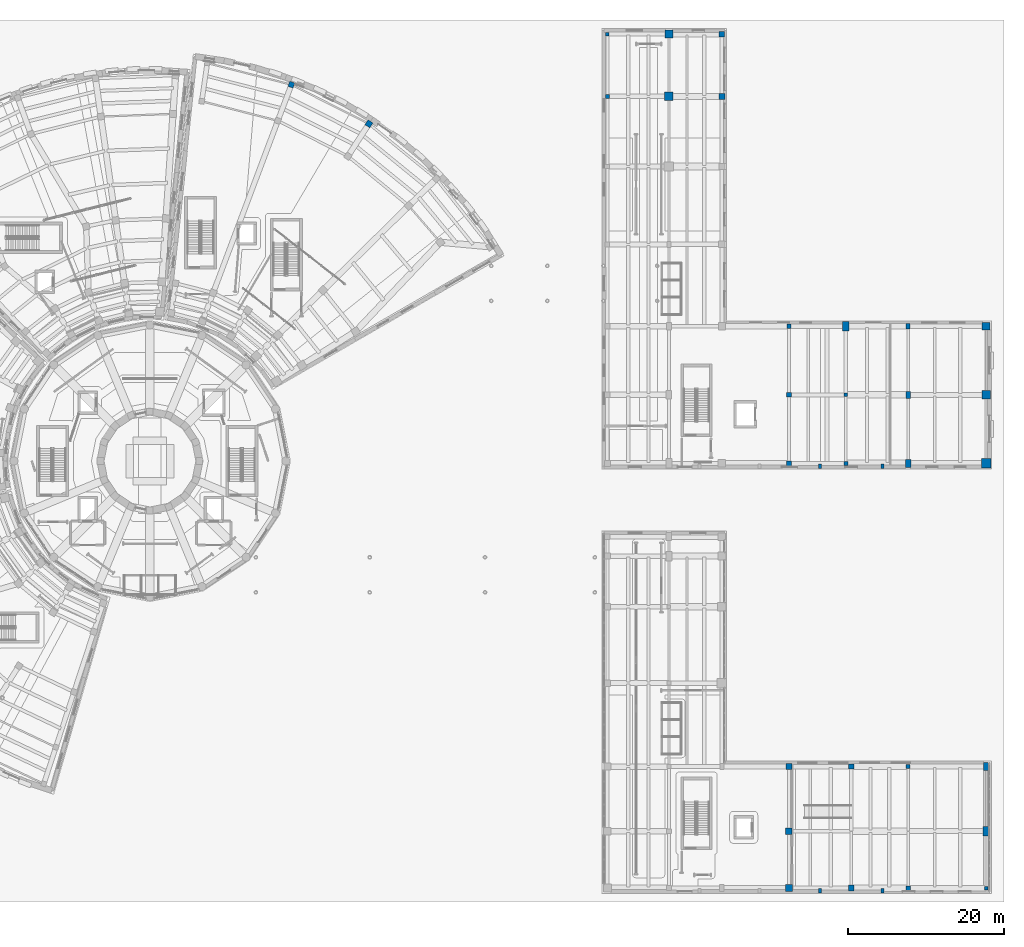
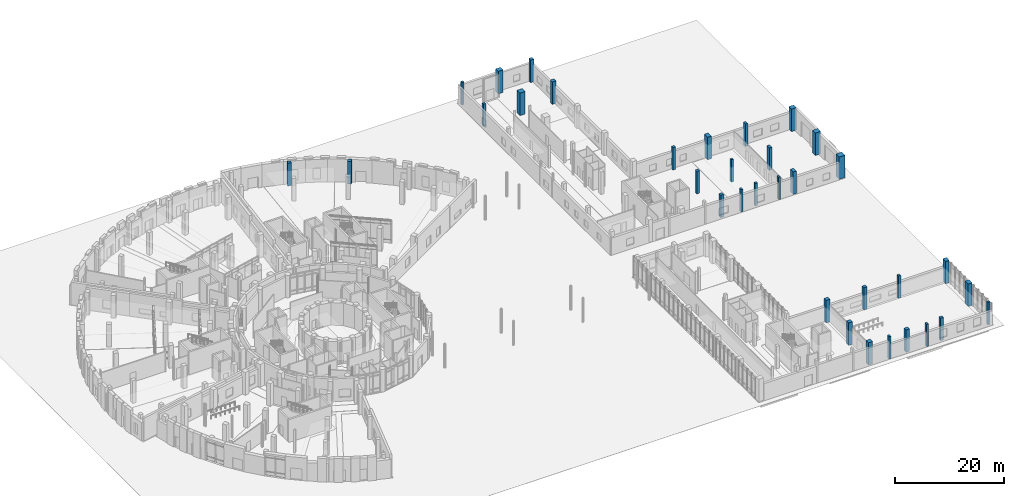
# One storey, part 9 of 74: 34 columns.
"""IFC4 building model written with IfcOpenShell, lengths in metres."""

from ifc_helpers import new_model, si_unit, direction, frame, origin, origin_2d, place, context, subcontext, project, spatial, rectangle, extrude, material, material_profile, profile_set, type_object, element, save


model = new_model("IFC4")

# Units and contexts
model_context = context("Model", 3, precision=1e-05, world=origin(), true_north=direction((0.0, 1.0)))
body_context = subcontext(model_context, "Body", "Model", "MODEL_VIEW")
ifc_project = project(units=[si_unit("LENGTHUNIT", "METRE"), si_unit("AREAUNIT", "SQUARE_METRE"), si_unit("VOLUMEUNIT", "CUBIC_METRE"), si_unit("PLANEANGLEUNIT", "RADIAN"), si_unit("MASSUNIT", "GRAM", prefix="KILO")], contexts=[model_context])

# Site, building, storey
site_placement = place(None, origin())
site = spatial("IfcSite", under=ifc_project, at=site_placement, CompositionType="ELEMENT")
building_placement = place(site_placement, origin())
building = spatial("IfcBuilding", under=site, at=building_placement, Name="Soyqirgoq Riverine Aquarium", CompositionType="ELEMENT")
storey_placement = place(building_placement, origin())
storey = spatial("IfcBuildingStorey", under=building, at=storey_placement, Name="L01", CompositionType="ELEMENT", Elevation=0.0)

# Columns
ifc_material_1 = material(Name="Concrete C40/50", Category="concrete")
ifc_material_profile_1 = material_profile(ifc_material_1, rectangle(XDim=1.0, YDim=1.0, at=origin_2d()), Name="RC 1000x1000")
ifc_profile_set_1 = profile_set([ifc_material_profile_1], Name="Concrete C40/50")
column_type_1 = type_object("IfcColumnType", Name="Col_RC_1000x1000", PredefinedType="COLUMN", material=ifc_profile_set_1)
for number, where, z_axis, x_axis, name in (
    (1, (122.60009765625, 111.800048828125, 0.0), (0.0, 0.0, 1.0), (1.0, 0.0, 0.0), "V7 Column V7-C-14 L01"),
    (2, (163.300048828125, 74.300048828125, 0.0), (0.0, 0.0, 1.0), (1.0, 0.0, 0.0), "V7 Column V7-C-32 L01"),
):
    element("IfcColumn", number, at=place(storey_placement, frame(where, z_axis=z_axis, x_axis=x_axis)), inside=storey, type_object=column_type_1, Name=name, PredefinedType="COLUMN", context=body_context, shape_type="SweptSolid", body=[
        extrude(rectangle(XDim=1.0, YDim=1.0, at=origin_2d()), origin(), (0.0, 0.0, 1.0), 5.050048828125),
    ])
ifc_material_2 = material(Name="Waterproof concrete C45/55", Category="concrete")
ifc_material_profile_2 = material_profile(ifc_material_2, rectangle(XDim=1.10009765625, YDim=1.10009765625, at=origin_2d()), Name="RC 1100x1100")
ifc_profile_set_2 = profile_set([ifc_material_profile_2], Name="Waterproof concrete C45/55")
column_type_2 = type_object("IfcColumnType", Name="Col_RC_1100x1100", PredefinedType="COLUMN", material=ifc_profile_set_2)
for number, where, z_axis, x_axis, name in (
    (3, (122.60009765625, 103.800048828125, 0.0), (0.0, 0.0, 1.0), (1.0, 0.0, 0.0), "V7 Column V7-C-13 L01"),
    (4, (163.300048828125, 65.5, 0.0), (0.0, 0.0, 1.0), (1.0, 0.0, 0.0), "V7 Column V7-C-31 L01"),
):
    element("IfcColumn", number, at=place(storey_placement, frame(where, z_axis=z_axis, x_axis=x_axis)), inside=storey, type_object=column_type_2, Name=name, PredefinedType="COLUMN", context=body_context, shape_type="SweptSolid", body=[
        extrude(rectangle(XDim=1.10009765625, YDim=1.10009765625, at=origin_2d()), origin(), (0.0, 0.0, 1.0), 5.050048828125),
    ])
ifc_material_3 = material(Name="Waterproof concrete C45/55", Category="concrete")
ifc_material_profile_3 = material_profile(ifc_material_3, rectangle(XDim=1.199951171875, YDim=1.199951171875, at=origin_2d()), Name="RC 1200x1200")
ifc_profile_set_3 = profile_set([ifc_material_profile_3], Name="Waterproof concrete C45/55")
column_type_3 = type_object("IfcColumnType", Name="Col_RC_1200x1200", PredefinedType="COLUMN", material=ifc_profile_set_3)
column_1_placement = place(storey_placement, frame((163.300048828125, 56.699951171875, 0.0), z_axis=(0.0, 0.0, 1.0), x_axis=(1.0, 0.0, 0.0)))
element("IfcColumn", 5, at=column_1_placement, inside=storey, type_object=column_type_3, Name="V7 Column V7-C-30 L01", PredefinedType="COLUMN", context=body_context, shape_type="SweptSolid", body=[
    extrude(rectangle(XDim=1.199951171875, YDim=1.199951171875, at=origin_2d()), origin(), (0.0, 0.0, 1.0), 5.050048828125),
])
ifc_material_4 = material(Name="Concrete C40/50", Category="concrete")
ifc_material_profile_4 = material_profile(ifc_material_4, rectangle(XDim=0.449951171875, YDim=0.449951171875, at=origin_2d()), Name="RC 450x450")
ifc_profile_set_4 = profile_set([ifc_material_profile_4], Name="Concrete C40/50")
column_type_4 = type_object("IfcColumnType", Name="Col_RC_450x450", PredefinedType="COLUMN", material=ifc_profile_set_4)
for number, where, z_axis, x_axis, name in (
    (6, (163.300048828125, 2.199951171875, 0.0), (0.0, 0.0, 1.0), (1.0, 0.0, 0.0), "V6 Column V6-C-30 L01"),
    (7, (114.699951171875, 111.800048828125, 0.0), (0.0, 0.0, 1.0), (1.0, 0.0, 0.0), "V7 Column V7-C-07 L01"),
    (8, (145.300048828125, 65.5, 0.0), (0.0, 0.0, 1.0), (1.0, 0.0, 0.0), "V7 Column V7-C-25 L01"),
):
    element("IfcColumn", number, at=place(storey_placement, frame(where, z_axis=z_axis, x_axis=x_axis)), inside=storey, type_object=column_type_4, Name=name, PredefinedType="COLUMN", context=body_context, shape_type="SweptSolid", body=[
        extrude(rectangle(XDim=0.449951171875, YDim=0.449951171875, at=origin_2d()), origin(), (0.0, 0.0, 1.0), 5.050048828125),
    ])
ifc_material_5 = material(Name="Concrete C40/50", Category="concrete")
ifc_material_profile_5 = material_profile(ifc_material_5, rectangle(XDim=0.5, YDim=0.5, at=origin_2d()), Name="RC 500x500")
ifc_profile_set_5 = profile_set([ifc_material_profile_5], Name="Concrete C40/50")
column_type_5 = type_object("IfcColumnType", Name="Col_RC_500x500", PredefinedType="COLUMN", material=ifc_profile_set_5)
for number, where, z_axis, x_axis, name in (
    (9, (153.300048828125, 17.800048828125, 0.0), (0.0, 0.0, 1.0), (1.0, 0.0, 0.0), "V6 Column V6-C-29 L01"),
    (10, (114.699951171875, 103.800048828125, 0.0), (0.0, 0.0, 1.0), (1.0, 0.0, 0.0), "V7 Column V7-C-06 L01"),
    (11, (145.300048828125, 56.699951171875, 0.0), (0.0, 0.0, 1.0), (1.0, 0.0, 0.0), "V7 Column V7-C-24 L01"),
):
    element("IfcColumn", number, at=place(storey_placement, frame(where, z_axis=z_axis, x_axis=x_axis)), inside=storey, type_object=column_type_5, Name=name, PredefinedType="COLUMN", context=body_context, shape_type="SweptSolid", body=[
        extrude(rectangle(XDim=0.5, YDim=0.5, at=origin_2d()), origin(), (0.0, 0.0, 1.0), 5.050048828125),
    ])
ifc_material_6 = material(Name="Concrete C40/50", Category="concrete")
ifc_material_profile_6 = material_profile(ifc_material_6, rectangle(XDim=0.5, YDim=0.75, at=origin_2d()), Name="RC-COL 500x750")
ifc_profile_set_6 = profile_set([ifc_material_profile_6], Name="Concrete C40/50")
column_type_6 = type_object("IfcColumnType", Name="Col_RC_500x750", PredefinedType="COLUMN", material=ifc_profile_set_6)
column_2_placement = place(storey_placement, frame((153.300048828125, 74.300048828125, 0.0), z_axis=(0.0, 0.0, 1.0), x_axis=(1.0, 0.0, 0.0)))
element("IfcColumn", 12, at=column_2_placement, inside=storey, type_object=column_type_6, Name="V7 Column V7-C-29 L01", PredefinedType="COLUMN", context=body_context, shape_type="SweptSolid", body=[
    extrude(rectangle(XDim=0.5, YDim=0.75, at=origin_2d()), origin(), (0.0, 0.0, 1.0), 5.050048828125),
])
ifc_material_7 = material(Name="Concrete C40/50", Category="concrete")
ifc_material_profile_7 = material_profile(ifc_material_7, rectangle(XDim=0.550048828125, YDim=0.550048828125, at=origin_2d()), Name="RC 550x550")
ifc_profile_set_7 = profile_set([ifc_material_profile_7], Name="Concrete C40/50")
column_type_7 = type_object("IfcColumnType", Name="Col_RC_550x550", PredefinedType="COLUMN", material=ifc_profile_set_7)
column_3_placement = place(storey_placement, frame((138.0, 74.300048828125, 0.0), z_axis=(0.0, 0.0, 1.0), x_axis=(1.0, 0.0, 0.0)))
element("IfcColumn", 13, at=column_3_placement, inside=storey, type_object=column_type_7, Name="V7 Column V7-C-23 L01", PredefinedType="COLUMN", context=body_context, shape_type="SweptSolid", body=[
    extrude(rectangle(XDim=0.550048828125, YDim=0.550048828125, at=origin_2d()), origin(), (0.0, 0.0, 1.0), 5.050048828125),
])
ifc_material_8 = material(Name="Concrete C40/50", Category="concrete")
ifc_material_profile_8 = material_profile(ifc_material_8, rectangle(XDim=0.60009765625, YDim=0.60009765625, at=origin_2d()), Name="RC 600x600")
ifc_profile_set_8 = profile_set([ifc_material_profile_8], Name="Concrete C40/50")
column_type_8 = type_object("IfcColumnType", Name="Col_RC_600x600", PredefinedType="COLUMN", material=ifc_profile_set_8)
for number, where, z_axis, x_axis, name in (
    (14, (153.300048828125, 2.199951171875, 0.0), (0.0, 0.0, 1.0), (1.0, 0.0, 0.0), "V6 Column V6-C-27 L01"),
    (15, (138.0, 65.5, 0.0), (0.0, 0.0, 1.0), (1.0, 0.0, 0.0), "V7 Column V7-C-22 L01"),
):
    element("IfcColumn", number, at=place(storey_placement, frame(where, z_axis=z_axis, x_axis=x_axis)), inside=storey, type_object=column_type_8, Name=name, PredefinedType="COLUMN", context=body_context, shape_type="SweptSolid", body=[
        extrude(rectangle(XDim=0.60009765625, YDim=0.60009765625, at=origin_2d()), origin(), (0.0, 0.0, 1.0), 5.050048828125),
    ])
ifc_material_9 = material(Name="Concrete C40/50", Category="concrete")
ifc_material_profile_9 = material_profile(ifc_material_9, rectangle(XDim=0.60009765625, YDim=0.89990234375, at=origin_2d()), Name="RC-COL 600x900")
ifc_profile_set_9 = profile_set([ifc_material_profile_9], Name="Concrete C40/50")
column_type_9 = type_object("IfcColumnType", Name="Col_RC_600x900", PredefinedType="COLUMN", material=ifc_profile_set_9)
column_4_placement = place(storey_placement, frame((153.300048828125, 65.5, 0.0), z_axis=(0.0, 0.0, 1.0), x_axis=(1.0, 0.0, 0.0)))
element("IfcColumn", 16, at=column_4_placement, inside=storey, type_object=column_type_9, Name="V7 Column V7-C-28 L01", PredefinedType="COLUMN", context=body_context, shape_type="SweptSolid", body=[
    extrude(rectangle(XDim=0.60009765625, YDim=0.89990234375, at=origin_2d()), origin(), (0.0, 0.0, 1.0), 5.050048828125),
])
ifc_material_10 = material(Name="Concrete C40/50", Category="concrete")
ifc_material_profile_10 = material_profile(ifc_material_10, rectangle(XDim=0.64990234375, YDim=0.64990234375, at=origin_2d()), Name="RC 650x650")
ifc_profile_set_10 = profile_set([ifc_material_profile_10], Name="Concrete C40/50")
column_type_10 = type_object("IfcColumnType", Name="Col_RC_650x650", PredefinedType="COLUMN", material=ifc_profile_set_10)
for number, where, z_axis, x_axis, name in (
    (17, (146.0, 17.800048828125, 0.0), (0.0, 0.0, 1.0), (1.0, 0.0, 0.0), "V6 Column V6-C-26 L01"),
    (18, (138.0, 56.699951171875, 0.0), (0.0, 0.0, 1.0), (1.0, 0.0, 0.0), "V7 Column V7-C-21 L01"),
):
    element("IfcColumn", number, at=place(storey_placement, frame(where, z_axis=z_axis, x_axis=x_axis)), inside=storey, type_object=column_type_10, Name=name, PredefinedType="COLUMN", context=body_context, shape_type="SweptSolid", body=[
        extrude(rectangle(XDim=0.64990234375, YDim=0.64990234375, at=origin_2d()), origin(), (0.0, 0.0, 1.0), 5.050048828125),
    ])
ifc_material_11 = material(Name="Concrete C40/50", Category="concrete")
ifc_material_profile_11 = material_profile(ifc_material_11, rectangle(XDim=0.699951171875, YDim=1.050048828125, at=origin_2d()), Name="RC-COL 700x1050")
ifc_profile_set_11 = profile_set([ifc_material_profile_11], Name="Concrete C40/50")
column_type_11 = type_object("IfcColumnType", Name="Col_RC_700x1050", PredefinedType="COLUMN", material=ifc_profile_set_11)
for number, where, z_axis, x_axis, name in (
    (19, (163.300048828125, 17.800048828125, 0.0), (0.0, 0.0, 1.0), (1.0, 0.0, 0.0), "V6 Column V6-C-32 L01"),
    (20, (153.300048828125, 56.699951171875, 0.0), (0.0, 0.0, 1.0), (1.0, 0.0, 0.0), "V7 Column V7-C-27 L01"),
):
    element("IfcColumn", number, at=place(storey_placement, frame(where, z_axis=z_axis, x_axis=x_axis)), inside=storey, type_object=column_type_11, Name=name, PredefinedType="COLUMN", context=body_context, shape_type="SweptSolid", body=[
        extrude(rectangle(XDim=0.699951171875, YDim=1.050048828125, at=origin_2d()), origin(), (0.0, 0.0, 1.0), 5.050048828125),
    ])
ifc_material_12 = material(Name="Concrete C40/50", Category="concrete")
ifc_material_profile_12 = material_profile(ifc_material_12, rectangle(XDim=0.699951171875, YDim=0.699951171875, at=origin_2d()), Name="RC 700x700")
ifc_profile_set_12 = profile_set([ifc_material_profile_12], Name="Concrete C40/50")
column_type_12 = type_object("IfcColumnType", Name="Col_RC_700x700", PredefinedType="COLUMN", material=ifc_profile_set_12)
column_5_placement = place(storey_placement, frame((74.155029296875, 105.30078125, 0.0), z_axis=(0.0, 0.0, 1.0), x_axis=(0.351841648405, 0.936059535739, 0.0)))
element("IfcColumn", 21, at=column_5_placement, inside=storey, type_object=column_type_12, Name="V5 Column V5-CR5-04 L01", PredefinedType="COLUMN", context=body_context, shape_type="SweptSolid", body=[
    extrude(rectangle(XDim=0.699951171875, YDim=0.699951171875, at=origin_2d()), origin(), (0.0, 0.0, 1.0), 5.10009765625),
])
column_6_placement = place(storey_placement, frame((129.39990234375, 111.800048828125, 0.0), z_axis=(0.0, 0.0, 1.0), x_axis=(1.0, 0.0, 0.0)))
element("IfcColumn", 22, at=column_6_placement, inside=storey, type_object=column_type_12, Name="V7 Column V7-C-20 L01", PredefinedType="COLUMN", context=body_context, shape_type="SweptSolid", body=[
    extrude(rectangle(XDim=0.699951171875, YDim=0.699951171875, at=origin_2d()), origin(), (0.0, 0.0, 1.0), 5.050048828125),
])
ifc_material_13 = material(Name="Concrete C40/50", Category="concrete")
ifc_material_profile_13 = material_profile(ifc_material_13, rectangle(XDim=0.75, YDim=0.75, at=origin_2d()), Name="RC 750x750")
ifc_profile_set_13 = profile_set([ifc_material_profile_13], Name="Concrete C40/50")
column_type_13 = type_object("IfcColumnType", Name="Col_RC_750x750", PredefinedType="COLUMN", material=ifc_profile_set_13)
column_7_placement = place(storey_placement, frame((84.103515625, 100.275390625, 0.0), z_axis=(0.0, 0.0, 1.0), x_axis=(0.544639035015, 0.838670567945, 0.0)))
element("IfcColumn", 23, at=column_7_placement, inside=storey, type_object=column_type_13, Name="V5 Column V5-CR5-03 L01", PredefinedType="COLUMN", context=body_context, shape_type="SweptSolid", body=[
    extrude(rectangle(XDim=0.75, YDim=0.75, at=origin_2d()), origin(), (0.0, 0.0, 1.0), 5.10009765625),
])
for number, where, z_axis, x_axis, name in (
    (24, (146.0, 2.199951171875, 0.0), (0.0, 0.0, 1.0), (1.0, 0.0, 0.0), "V6 Column V6-C-24 L01"),
    (25, (129.39990234375, 103.800048828125, 0.0), (0.0, 0.0, 1.0), (1.0, 0.0, 0.0), "V7 Column V7-C-19 L01"),
):
    element("IfcColumn", number, at=place(storey_placement, frame(where, z_axis=z_axis, x_axis=x_axis)), inside=storey, type_object=column_type_13, Name=name, PredefinedType="COLUMN", context=body_context, shape_type="SweptSolid", body=[
        extrude(rectangle(XDim=0.75, YDim=0.75, at=origin_2d()), origin(), (0.0, 0.0, 1.0), 5.050048828125),
    ])
ifc_material_14 = material(Name="Concrete C40/50", Category="concrete")
ifc_material_profile_14 = material_profile(ifc_material_14, rectangle(XDim=0.800048828125, YDim=1.199951171875, at=origin_2d()), Name="RC-COL 800x1200")
ifc_profile_set_14 = profile_set([ifc_material_profile_14], Name="Concrete C40/50")
column_type_14 = type_object("IfcColumnType", Name="Col_RC_800x1200", PredefinedType="COLUMN", material=ifc_profile_set_14)
for number, where, z_axis, x_axis, name in (
    (26, (163.300048828125, 9.5, 0.0), (0.0, 0.0, 1.0), (1.0, 0.0, 0.0), "V6 Column V6-C-31 L01"),
    (27, (145.300048828125, 74.300048828125, 0.0), (0.0, 0.0, 1.0), (1.0, 0.0, 0.0), "V7 Column V7-C-26 L01"),
):
    element("IfcColumn", number, at=place(storey_placement, frame(where, z_axis=z_axis, x_axis=x_axis)), inside=storey, type_object=column_type_14, Name=name, PredefinedType="COLUMN", context=body_context, shape_type="SweptSolid", body=[
        extrude(rectangle(XDim=0.800048828125, YDim=1.199951171875, at=origin_2d()), origin(), (0.0, 0.0, 1.0), 5.050048828125),
    ])
ifc_material_15 = material(Name="Concrete C40/50", Category="concrete")
ifc_material_profile_15 = material_profile(ifc_material_15, rectangle(XDim=0.800048828125, YDim=0.800048828125, at=origin_2d()), Name="RC 800x800")
ifc_profile_set_15 = profile_set([ifc_material_profile_15], Name="Concrete C40/50")
column_type_15 = type_object("IfcColumnType", Name="Col_RC_800x800", PredefinedType="COLUMN", material=ifc_profile_set_15)
column_8_placement = place(storey_placement, frame((138.0, 17.800048828125, 0.0), z_axis=(0.0, 0.0, 1.0), x_axis=(1.0, 0.0, 0.0)))
element("IfcColumn", 28, at=column_8_placement, inside=storey, type_object=column_type_15, Name="V6 Column V6-C-23 L01", PredefinedType="COLUMN", context=body_context, shape_type="SweptSolid", body=[
    extrude(rectangle(XDim=0.800048828125, YDim=0.800048828125, at=origin_2d()), origin(), (0.0, 0.0, 1.0), 5.050048828125),
])
ifc_material_16 = material(Name="Concrete C40/50", Category="concrete")
ifc_material_profile_16 = material_profile(ifc_material_16, rectangle(XDim=0.85009765625, YDim=0.85009765625, at=origin_2d()), Name="RC 850x850")
ifc_profile_set_16 = profile_set([ifc_material_profile_16], Name="Concrete C40/50")
column_type_16 = type_object("IfcColumnType", Name="Col_RC_850x850", PredefinedType="COLUMN", material=ifc_profile_set_16)
column_9_placement = place(storey_placement, frame((138.0, 9.5, 0.0), z_axis=(0.0, 0.0, 1.0), x_axis=(1.0, 0.0, 0.0)))
element("IfcColumn", 29, at=column_9_placement, inside=storey, type_object=column_type_16, Name="V6 Column V6-C-22 L01", PredefinedType="COLUMN", context=body_context, shape_type="SweptSolid", body=[
    extrude(rectangle(XDim=0.85009765625, YDim=0.85009765625, at=origin_2d()), origin(), (0.0, 0.0, 1.0), 5.050048828125),
])
ifc_material_17 = material(Name="Concrete C40/50", Category="concrete")
ifc_material_profile_17 = material_profile(ifc_material_17, rectangle(XDim=0.89990234375, YDim=0.89990234375, at=origin_2d()), Name="RC 900x900")
ifc_profile_set_17 = profile_set([ifc_material_profile_17], Name="Concrete C40/50")
column_type_17 = type_object("IfcColumnType", Name="Col_RC_900x900", PredefinedType="COLUMN", material=ifc_profile_set_17)
column_10_placement = place(storey_placement, frame((138.0, 2.199951171875, 0.0), z_axis=(0.0, 0.0, 1.0), x_axis=(1.0, 0.0, 0.0)))
element("IfcColumn", 30, at=column_10_placement, inside=storey, type_object=column_type_17, Name="V6 Column V6-C-21 L01", PredefinedType="COLUMN", context=body_context, shape_type="SweptSolid", body=[
    extrude(rectangle(XDim=0.89990234375, YDim=0.89990234375, at=origin_2d()), origin(), (0.0, 0.0, 1.0), 5.050048828125),
])
ifc_material_18 = material(Name="Concrete C40/50", Category="concrete")
ifc_material_profile_18 = material_profile(ifc_material_18, rectangle(XDim=0.39990234375, YDim=0.60009765625, at=origin_2d()), Name="RC-PIL 400x600")
ifc_profile_set_18 = profile_set([ifc_material_profile_18], Name="Concrete C40/50")
column_type_18 = type_object("IfcColumnType", Name="Pilaster_400x600", PredefinedType="PILASTER", material=ifc_profile_set_18)
for number, where, z_axis, x_axis, name in (
    (31, (142.0, 1.85009765625, 0.0), (0.0, 0.0, 1.0), (1.0, 0.0, 0.0), "V6 Facade Pilaster PIL-V6-05 L01"),
    (32, (142.0, 56.35009765625, 0.0), (0.0, 0.0, 1.0), (1.0, 0.0, 0.0), "V7 Facade Pilaster PIL-V7-06 L01"),
    (33, (150.0, 1.85009765625, 0.0), (0.0, 0.0, 1.0), (1.0, 0.0, 0.0), "V6 Facade Pilaster PIL-V6-07 L01"),
    (34, (150.0, 56.35009765625, 0.0), (0.0, 0.0, 1.0), (1.0, 0.0, 0.0), "V7 Facade Pilaster PIL-V7-08 L01"),
):
    element("IfcColumn", number, at=place(storey_placement, frame(where, z_axis=z_axis, x_axis=x_axis)), inside=storey, type_object=column_type_18, Name=name, PredefinedType="PILASTER", context=body_context, shape_type="SweptSolid", body=[
        extrude(rectangle(XDim=0.39990234375, YDim=0.60009765625, at=origin_2d()), origin(), (0.0, 0.0, 1.0), 5.050048828125),
    ])

save(model, "model.ifc")
